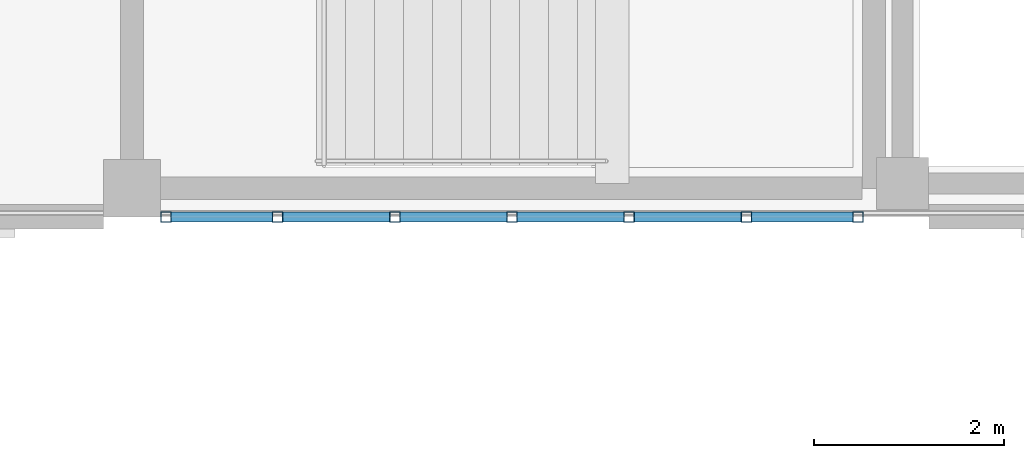
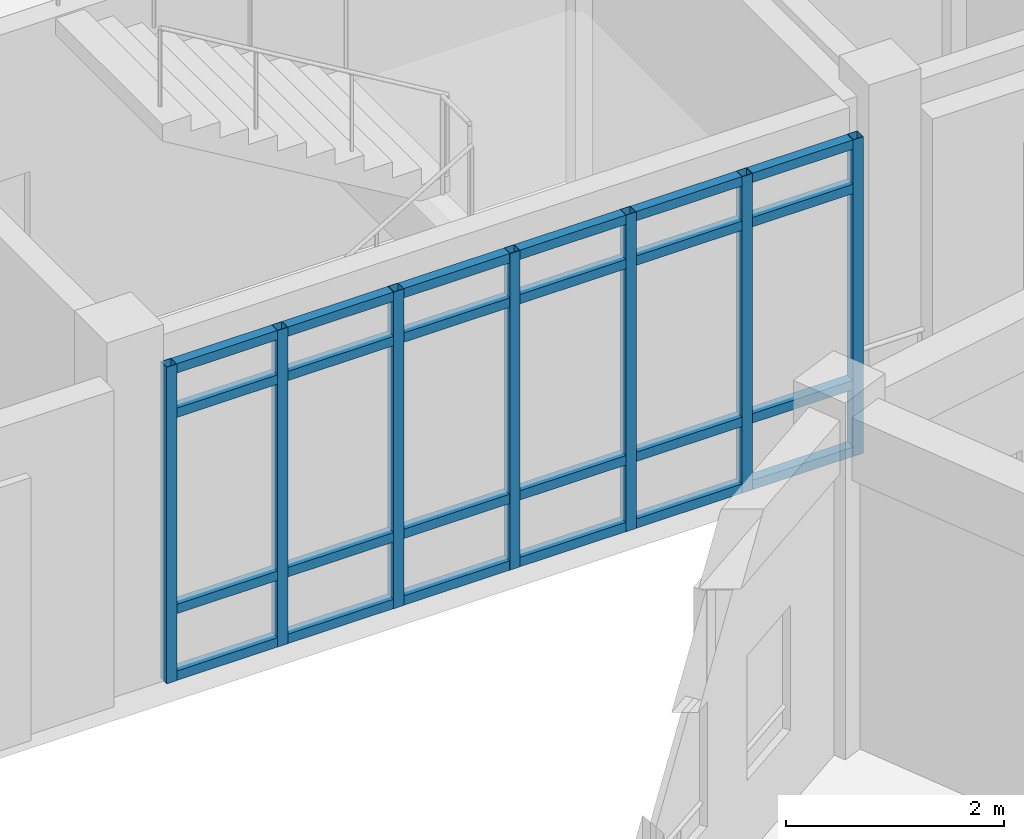
# One storey, part 17 of 112: 31 members, 1 element without a shape of its own.
"""IFC4 building model written with IfcOpenShell, lengths in metres."""

import ifcopenshell
import ifcopenshell.guid

model = None  # the IFC model being written
_history = None  # IfcOwnerHistory: only IFC2X3 demands one
_inside = {}  # id of a spatial element -> (the spatial element, [elements in it])
_under = {}  # id of a project, library or spatial element -> (it, [spatial elements below it])
_declared = {}  # id of a project -> (the project, [libraries it declares])
_typed = {}  # id of a type object -> (the type object, [elements of that type])
_made_of = {}  # id of a material, layer set ... -> (it, [elements and type objects made of it])


def new_model(schema):
    """Start an empty IFC model of exactly this schema.

    Asked for "IFC4X3", IfcOpenShell would pick the latest addendum, in which some entities
    have other attributes; the version numbers below select the first issue.
    IFC2X3 requires an IfcOwnerHistory on every rooted entity: one is made here for all.
    """
    global model, _history
    if schema == "IFC4X3":
        model = ifcopenshell.file(schema_version=(4, 3, 0, 0))
    else:
        model = ifcopenshell.file(schema=schema)
    _inside.clear()
    _under.clear()
    _declared.clear()
    _typed.clear()
    _made_of.clear()
    _history = None
    if model.schema == "IFC2X3":
        org = make("IfcOrganization", Name="unknown")
        user = make(
            "IfcPersonAndOrganization",
            ThePerson=make("IfcPerson", FamilyName="unknown"),
            TheOrganization=org,
        )
        app = make(
            "IfcApplication",
            ApplicationDeveloper=org,
            Version="unknown",
            ApplicationFullName="unknown",
            ApplicationIdentifier="unknown",
        )
        _history = make(
            "IfcOwnerHistory",
            OwningUser=user,
            OwningApplication=app,
            ChangeAction="ADDED",
            CreationDate=0,
        )
    return model


def make(cls, **values):
    """One entity of the class cls with the attributes given. An attribute that is None is left unset."""
    return model.create_entity(
        cls, **{name: value for name, value in values.items() if value is not None}
    )


def rooted(cls, **values):
    """An entity with a GlobalId (a new one), such as an element, a storey or a relation."""
    return make(cls, GlobalId=ifcopenshell.guid.new(), OwnerHistory=_history, **values)


def si_unit(unit_type, name, prefix=None):
    """IfcSIUnit, for example si_unit("LENGTHUNIT", "METRE", prefix="MILLI")."""
    return make("IfcSIUnit", UnitType=unit_type, Prefix=prefix, Name=name)


def assignment(units):
    """IfcUnitAssignment: the units of a project."""
    return None if units is None else make("IfcUnitAssignment", Units=units)


def point(xyz):
    """IfcCartesianPoint."""
    return None if xyz is None else make("IfcCartesianPoint", Coordinates=xyz)


def direction(xyz):
    """IfcDirection."""
    return None if xyz is None else make("IfcDirection", DirectionRatios=xyz)


def frame(location, z_axis=None, x_axis=None):
    """IfcAxis2Placement3D, a coordinate frame: its origin and axes. An axis left out is left unset."""
    return make(
        "IfcAxis2Placement3D",
        Location=point(location),
        Axis=direction(z_axis),
        RefDirection=direction(x_axis),
    )


def frame_2d(location, x_axis=None):
    """IfcAxis2Placement2D, a coordinate frame in the plane: its origin and x axis."""
    return make(
        "IfcAxis2Placement2D", Location=point(location), RefDirection=direction(x_axis)
    )


def origin():
    """The frame at (0, 0, 0) with its axes left unset."""
    return frame((0.0, 0.0, 0.0))


def origin_2d():
    """The frame at (0, 0) in the plane with its x axis left unset."""
    return frame_2d((0.0, 0.0))


def place(relative_to, where):
    """IfcLocalPlacement: puts the frame where relative to a parent placement (None: the world)."""
    return make(
        "IfcLocalPlacement", PlacementRelTo=relative_to, RelativePlacement=where
    )


def context(
    kind, dimensions, precision=None, world=None, true_north=None, identifier=None
):
    """IfcGeometricRepresentationContext, for example the 3D "Model" context."""
    return make(
        "IfcGeometricRepresentationContext",
        ContextIdentifier=identifier,
        ContextType=kind,
        CoordinateSpaceDimension=dimensions,
        Precision=precision,
        WorldCoordinateSystem=world,
        TrueNorth=true_north,
    )


def subcontext(parent, identifier, kind, view, scale=None):
    """IfcGeometricRepresentationSubContext, for example "Body" below "Model"."""
    return make(
        "IfcGeometricRepresentationSubContext",
        ContextIdentifier=identifier,
        ContextType=kind,
        ParentContext=parent,
        TargetScale=scale,
        TargetView=view,
    )


def project(units=None, contexts=None):
    """IfcProject with its units and contexts."""
    return rooted(
        "IfcProject",
        Name="project",
        RepresentationContexts=contexts,
        UnitsInContext=assignment(units),
    )


def spatial(cls, under=None, at=None, **own):
    """A site, building, storey or space (cls), placed at a placement, below another one or the project."""
    s = rooted(cls, ObjectPlacement=at, **own)
    if under is not None:
        _under.setdefault(under.id(), (under, []))[1].append(s)
    return s


def profile(cls, at=None, kind="AREA", **sizes):
    """A parametric profile (cls). Its sizes go by their IFC names, for example OverallWidth=200.0."""
    return make(cls, ProfileType=kind, Position=at, **sizes)


def hollow_rectangle(**sizes):
    """IfcRectangleHollowProfileDef."""
    return profile("IfcRectangleHollowProfileDef", **sizes)


def extrude(swept, where, along, depth):
    """IfcExtrudedAreaSolid: the profile swept, set in the frame where, extruded along a direction by depth."""
    return make(
        "IfcExtrudedAreaSolid",
        SweptArea=swept,
        Position=where,
        ExtrudedDirection=direction(along),
        Depth=depth,
    )


def shape(context_of_items, identifier, shape_type, items):
    """IfcShapeRepresentation: the items that make up one representation, for example the "Body"."""
    return make(
        "IfcShapeRepresentation",
        ContextOfItems=context_of_items,
        RepresentationIdentifier=identifier,
        RepresentationType=shape_type,
        Items=items,
    )


def material(Name=None, Category=None):
    """IfcMaterial."""
    return make("IfcMaterial", Name=Name, Category=Category)


def material_profile(
    of_material, cross_section, Name=None, Category=None, Priority=None
):
    """IfcMaterialProfile: a cross section and its material."""
    return make(
        "IfcMaterialProfile",
        Name=Name,
        Material=of_material,
        Profile=cross_section,
        Priority=Priority,
        Category=Category,
    )


def profile_set(profiles, Name=None, composite=None):
    """IfcMaterialProfileSet."""
    return make(
        "IfcMaterialProfileSet",
        Name=Name,
        MaterialProfiles=profiles,
        CompositeProfile=composite,
    )


def made_of(thing, what):
    """Note that an element or type object is made of a material, layer set ...; save() writes the relation."""
    if what is not None:
        _made_of.setdefault(what.id(), (what, []))[1].append(thing)
    return thing


def type_object(cls, material=None, **own):
    """A type object (cls), such as IfcWallType, which elements share."""
    return made_of(rooted(cls, **own), material)


def element(
    cls,
    number,
    at=None,
    inside=None,
    cuts=None,
    type_object=None,
    material=None,
    context=None,
    identifier="Body",
    shape_type=None,
    held_by="IfcProductDefinitionShape",
    body=None,
    shapes=None,
    **own,
):
    """One element of the class cls, such as IfcWall. Its Tag is "e" and its number.

    at: its placement. inside: the storey or other place that contains it. cuts: it is an
    opening in that element (IfcRelVoidsElement). A single representation is given by context,
    identifier, shape_type and body (its items); several are given by shapes. held_by: the class
    of the entity that holds the representations. save() writes the other relations.
    """
    e = rooted(cls, Tag="e%d" % number, ObjectPlacement=at, **own)
    if body is not None:
        shapes = [shape(context, identifier, shape_type, body)]
    if shapes is not None:
        e.Representation = make(held_by, Representations=shapes)
    if inside is not None:
        _inside.setdefault(inside.id(), (inside, []))[1].append(e)
    if cuts is not None:
        rooted(
            "IfcRelVoidsElement", RelatingBuildingElement=cuts, RelatedOpeningElement=e
        )
    if type_object is not None:
        _typed.setdefault(type_object.id(), (type_object, []))[1].append(e)
    return made_of(e, material)


def aggregate(whole, parts):
    """IfcRelAggregates: a whole, such as a stair, and the parts it consists of."""
    return rooted("IfcRelAggregates", RelatingObject=whole, RelatedObjects=parts)


def save(model, path):
    """Write the relations noted so far, then the file.

    IfcRelAggregates (storeys below a building ...), IfcRelContainedInSpatialStructure (elements
    in a storey), IfcRelDefinesByType, IfcRelAssociatesMaterial and IfcRelDeclares: one each for
    every whole, place, type object, material and project.
    """
    for whole, parts in _under.values():
        aggregate(whole, parts)
    for where, things in _inside.values():
        rooted(
            "IfcRelContainedInSpatialStructure",
            RelatedElements=things,
            RelatingStructure=where,
        )
    for kind, things in _typed.values():
        rooted("IfcRelDefinesByType", RelatedObjects=things, RelatingType=kind)
    for what, things in _made_of.values():
        rooted("IfcRelAssociatesMaterial", RelatedObjects=things, RelatingMaterial=what)
    for by, libraries in _declared.values():
        rooted("IfcRelDeclares", RelatingContext=by, RelatedDefinitions=libraries)
    model.write(path)


model = new_model("IFC4")

# Units and contexts
model_context = context("Model", 3, precision=1e-05, world=origin(), true_north=direction((0.0, 1.0)))
body_context = subcontext(model_context, "Body", "Model", "MODEL_VIEW")
ifc_project = project(units=[si_unit("LENGTHUNIT", "METRE"), si_unit("AREAUNIT", "SQUARE_METRE"), si_unit("VOLUMEUNIT", "CUBIC_METRE"), si_unit("PLANEANGLEUNIT", "RADIAN"), si_unit("MASSUNIT", "GRAM", prefix="KILO")], contexts=[model_context])

# Site, building, storey
site_placement = place(None, origin())
site = spatial("IfcSite", under=ifc_project, at=site_placement, CompositionType="ELEMENT")
building_placement = place(site_placement, origin())
building = spatial("IfcBuilding", under=site, at=building_placement, Name="Celadon Cloister-Ring School", CompositionType="ELEMENT")
storey_placement = place(building_placement, frame((0.0, 0.0, 8.5)))
storey = spatial("IfcBuildingStorey", under=building, at=storey_placement, Name="L02", CompositionType="ELEMENT", Elevation=8.5)

# Curtain wall, members
ifc_material_1 = material(Name="Aluminium EN AW-6063 T6", Category="aluminium")
curtain_wall_type = type_object("IfcCurtainWallType", Name="CW-13", PredefinedType="USERDEFINED", material=ifc_material_1)
curtain_wall_placement = place(storey_placement, origin())
curtain_wall = element("IfcCurtainWall", 1, at=curtain_wall_placement, inside=storey, type_object=curtain_wall_type, Name="Curtain Wall 0202", ObjectType="CURTAIN WALL", PredefinedType="USERDEFINED")
ifc_material_2 = material(Name="Aluminium EN AW-6063 T6", Category="aluminium")
ifc_material_profile_1 = material_profile(ifc_material_2, hollow_rectangle(XDim=0.110107421875, YDim=0.110107421875, WallThickness=0.0048828125, at=origin_2d()), Name="RHS110X110X5")
ifc_profile_set_1 = profile_set([ifc_material_profile_1], Name="Aluminium EN AW-6063 T6")
member_type_1 = type_object("IfcMemberType", Name="CM-01", PredefinedType="MULLION", material=ifc_profile_set_1)
member_1_placement = place(storey_placement, frame((15.885009765625, 40.0, 0.0), z_axis=(0.0, 0.0, 1.0), x_axis=(0.0, -1.0, 0.0)))
member_1 = element("IfcMember", 2, at=member_1_placement, type_object=member_type_1, Name="CW-13 mullion 1", PredefinedType="MULLION", context=body_context, shape_type="SweptSolid", body=[
    extrude(hollow_rectangle(XDim=0.110107421875, YDim=0.110107421875, WallThickness=0.0048828125, at=origin_2d()), origin(), (0.0, 0.0, 1.0), 3.550048828125),
])
member_2_placement = place(storey_placement, frame((14.708251953125, 40.0, 0.0), z_axis=(0.0, 0.0, 1.0), x_axis=(0.0, -1.0, 0.0)))
member_2 = element("IfcMember", 3, at=member_2_placement, type_object=member_type_1, Name="CW-13 mullion 2", PredefinedType="MULLION", context=body_context, shape_type="SweptSolid", body=[
    extrude(hollow_rectangle(XDim=0.110107421875, YDim=0.110107421875, WallThickness=0.0048828125, at=origin_2d()), origin(), (0.0, 0.0, 1.0), 3.550048828125),
])
member_3_placement = place(storey_placement, frame((13.4765625, 40.0, 0.0), z_axis=(0.0, 0.0, 1.0), x_axis=(0.0, -1.0, 0.0)))
member_3 = element("IfcMember", 4, at=member_3_placement, type_object=member_type_1, Name="CW-13 mullion 3", PredefinedType="MULLION", context=body_context, shape_type="SweptSolid", body=[
    extrude(hollow_rectangle(XDim=0.110107421875, YDim=0.110107421875, WallThickness=0.0048828125, at=origin_2d()), origin(), (0.0, 0.0, 1.0), 3.550048828125),
])
member_4_placement = place(storey_placement, frame((12.2451171875, 40.0, 0.0), z_axis=(0.0, 0.0, 1.0), x_axis=(0.0, -1.0, 0.0)))
member_4 = element("IfcMember", 5, at=member_4_placement, type_object=member_type_1, Name="CW-13 mullion 4", PredefinedType="MULLION", context=body_context, shape_type="SweptSolid", body=[
    extrude(hollow_rectangle(XDim=0.110107421875, YDim=0.110107421875, WallThickness=0.0048828125, at=origin_2d()), origin(), (0.0, 0.0, 1.0), 3.550048828125),
])
member_5_placement = place(storey_placement, frame((11.013427734375, 40.0, 0.0), z_axis=(0.0, 0.0, 1.0), x_axis=(0.0, -1.0, 0.0)))
member_5 = element("IfcMember", 6, at=member_5_placement, type_object=member_type_1, Name="CW-13 mullion 5", PredefinedType="MULLION", context=body_context, shape_type="SweptSolid", body=[
    extrude(hollow_rectangle(XDim=0.110107421875, YDim=0.110107421875, WallThickness=0.0048828125, at=origin_2d()), origin(), (0.0, 0.0, 1.0), 3.550048828125),
])
member_6_placement = place(storey_placement, frame((9.78173828125, 40.0, 0.0), z_axis=(0.0, 0.0, 1.0), x_axis=(0.0, -1.0, 0.0)))
member_6 = element("IfcMember", 7, at=member_6_placement, type_object=member_type_1, Name="CW-13 mullion 6", PredefinedType="MULLION", context=body_context, shape_type="SweptSolid", body=[
    extrude(hollow_rectangle(XDim=0.110107421875, YDim=0.110107421875, WallThickness=0.0048828125, at=origin_2d()), origin(), (0.0, 0.0, 1.0), 3.550048828125),
])
member_7_placement = place(storey_placement, frame((8.60498046875, 40.0, 0.0), z_axis=(0.0, 0.0, 1.0), x_axis=(0.0, -1.0, 0.0)))
member_7 = element("IfcMember", 8, at=member_7_placement, type_object=member_type_1, Name="CW-13 mullion 7", PredefinedType="MULLION", context=body_context, shape_type="SweptSolid", body=[
    extrude(hollow_rectangle(XDim=0.110107421875, YDim=0.110107421875, WallThickness=0.0048828125, at=origin_2d()), origin(), (0.0, 0.0, 1.0), 3.550048828125),
])
ifc_material_3 = material(Name="Aluminium EN AW-6063 T6", Category="aluminium")
ifc_material_profile_2 = material_profile(ifc_material_3, hollow_rectangle(XDim=0.10498046875, YDim=0.10498046875, WallThickness=0.0048828125, at=origin_2d()), Name="RHS105X105X5")
ifc_profile_set_2 = profile_set([ifc_material_profile_2], Name="Aluminium EN AW-6063 T6")
member_type_2 = type_object("IfcMemberType", Name="CTM-01", PredefinedType="USERDEFINED", material=ifc_profile_set_2)
member_8_placement = place(storey_placement, frame((15.830078125, 40.0, 0.052490234375), z_axis=(-1.0, 0.0, 0.0), x_axis=(0.0, -1.0, 0.0)))
member_8 = element("IfcMember", 9, at=member_8_placement, type_object=member_type_2, Name="CW-13 transom 1.1", ObjectType="TRANSOM", PredefinedType="USERDEFINED", context=body_context, shape_type="SweptSolid", body=[
    extrude(hollow_rectangle(XDim=0.10498046875, YDim=0.10498046875, WallThickness=0.0048828125, at=origin_2d()), origin(), (0.0, 0.0, 1.0), 1.066650390625),
])
member_9_placement = place(storey_placement, frame((15.830078125, 40.0, 0.800048828125), z_axis=(-1.0, 0.0, 0.0), x_axis=(0.0, -1.0, 0.0)))
member_9 = element("IfcMember", 10, at=member_9_placement, type_object=member_type_2, Name="CW-13 transom 1.2", ObjectType="TRANSOM", PredefinedType="USERDEFINED", context=body_context, shape_type="SweptSolid", body=[
    extrude(hollow_rectangle(XDim=0.10498046875, YDim=0.10498046875, WallThickness=0.0048828125, at=origin_2d()), origin(), (0.0, 0.0, 1.0), 1.066650390625),
])
member_10_placement = place(storey_placement, frame((15.830078125, 40.0, 3.0), z_axis=(-1.0, 0.0, 0.0), x_axis=(0.0, -1.0, 0.0)))
member_10 = element("IfcMember", 11, at=member_10_placement, type_object=member_type_2, Name="CW-13 transom 1.3", ObjectType="TRANSOM", PredefinedType="USERDEFINED", context=body_context, shape_type="SweptSolid", body=[
    extrude(hollow_rectangle(XDim=0.10498046875, YDim=0.10498046875, WallThickness=0.0048828125, at=origin_2d()), origin(), (0.0, 0.0, 1.0), 1.066650390625),
])
member_11_placement = place(storey_placement, frame((15.830078125, 40.0, 3.49755859375), z_axis=(-1.0, 0.0, 0.0), x_axis=(0.0, -1.0, 0.0)))
member_11 = element("IfcMember", 12, at=member_11_placement, type_object=member_type_2, Name="CW-13 transom 1.4", ObjectType="TRANSOM", PredefinedType="USERDEFINED", context=body_context, shape_type="SweptSolid", body=[
    extrude(hollow_rectangle(XDim=0.10498046875, YDim=0.10498046875, WallThickness=0.0048828125, at=origin_2d()), origin(), (0.0, 0.0, 1.0), 1.066650390625),
])
member_12_placement = place(storey_placement, frame((14.6533203125, 40.0, 0.052490234375), z_axis=(-1.0, 0.0, 0.0), x_axis=(0.0, -1.0, 0.0)))
member_12 = element("IfcMember", 13, at=member_12_placement, type_object=member_type_2, Name="CW-13 transom 2.1", ObjectType="TRANSOM", PredefinedType="USERDEFINED", context=body_context, shape_type="SweptSolid", body=[
    extrude(hollow_rectangle(XDim=0.10498046875, YDim=0.10498046875, WallThickness=0.0048828125, at=origin_2d()), origin(), (0.0, 0.0, 1.0), 1.12158203125),
])
member_13_placement = place(storey_placement, frame((14.6533203125, 40.0, 0.800048828125), z_axis=(-1.0, 0.0, 0.0), x_axis=(0.0, -1.0, 0.0)))
member_13 = element("IfcMember", 14, at=member_13_placement, type_object=member_type_2, Name="CW-13 transom 2.2", ObjectType="TRANSOM", PredefinedType="USERDEFINED", context=body_context, shape_type="SweptSolid", body=[
    extrude(hollow_rectangle(XDim=0.10498046875, YDim=0.10498046875, WallThickness=0.0048828125, at=origin_2d()), origin(), (0.0, 0.0, 1.0), 1.12158203125),
])
member_14_placement = place(storey_placement, frame((14.6533203125, 40.0, 3.0), z_axis=(-1.0, 0.0, 0.0), x_axis=(0.0, -1.0, 0.0)))
member_14 = element("IfcMember", 15, at=member_14_placement, type_object=member_type_2, Name="CW-13 transom 2.3", ObjectType="TRANSOM", PredefinedType="USERDEFINED", context=body_context, shape_type="SweptSolid", body=[
    extrude(hollow_rectangle(XDim=0.10498046875, YDim=0.10498046875, WallThickness=0.0048828125, at=origin_2d()), origin(), (0.0, 0.0, 1.0), 1.12158203125),
])
member_15_placement = place(storey_placement, frame((14.6533203125, 40.0, 3.49755859375), z_axis=(-1.0, 0.0, 0.0), x_axis=(0.0, -1.0, 0.0)))
member_15 = element("IfcMember", 16, at=member_15_placement, type_object=member_type_2, Name="CW-13 transom 2.4", ObjectType="TRANSOM", PredefinedType="USERDEFINED", context=body_context, shape_type="SweptSolid", body=[
    extrude(hollow_rectangle(XDim=0.10498046875, YDim=0.10498046875, WallThickness=0.0048828125, at=origin_2d()), origin(), (0.0, 0.0, 1.0), 1.12158203125),
])
member_16_placement = place(storey_placement, frame((13.421630859375, 40.0, 0.052490234375), z_axis=(-1.0, 0.0, 0.0), x_axis=(0.0, -1.0, 0.0)))
member_16 = element("IfcMember", 17, at=member_16_placement, type_object=member_type_2, Name="CW-13 transom 3.1", ObjectType="TRANSOM", PredefinedType="USERDEFINED", context=body_context, shape_type="SweptSolid", body=[
    extrude(hollow_rectangle(XDim=0.10498046875, YDim=0.10498046875, WallThickness=0.0048828125, at=origin_2d()), origin(), (0.0, 0.0, 1.0), 1.12158203125),
])
member_17_placement = place(storey_placement, frame((13.421630859375, 40.0, 0.800048828125), z_axis=(-1.0, 0.0, 0.0), x_axis=(0.0, -1.0, 0.0)))
member_17 = element("IfcMember", 18, at=member_17_placement, type_object=member_type_2, Name="CW-13 transom 3.2", ObjectType="TRANSOM", PredefinedType="USERDEFINED", context=body_context, shape_type="SweptSolid", body=[
    extrude(hollow_rectangle(XDim=0.10498046875, YDim=0.10498046875, WallThickness=0.0048828125, at=origin_2d()), origin(), (0.0, 0.0, 1.0), 1.12158203125),
])
member_18_placement = place(storey_placement, frame((13.421630859375, 40.0, 3.0), z_axis=(-1.0, 0.0, 0.0), x_axis=(0.0, -1.0, 0.0)))
member_18 = element("IfcMember", 19, at=member_18_placement, type_object=member_type_2, Name="CW-13 transom 3.3", ObjectType="TRANSOM", PredefinedType="USERDEFINED", context=body_context, shape_type="SweptSolid", body=[
    extrude(hollow_rectangle(XDim=0.10498046875, YDim=0.10498046875, WallThickness=0.0048828125, at=origin_2d()), origin(), (0.0, 0.0, 1.0), 1.12158203125),
])
member_19_placement = place(storey_placement, frame((13.421630859375, 40.0, 3.49755859375), z_axis=(-1.0, 0.0, 0.0), x_axis=(0.0, -1.0, 0.0)))
member_19 = element("IfcMember", 20, at=member_19_placement, type_object=member_type_2, Name="CW-13 transom 3.4", ObjectType="TRANSOM", PredefinedType="USERDEFINED", context=body_context, shape_type="SweptSolid", body=[
    extrude(hollow_rectangle(XDim=0.10498046875, YDim=0.10498046875, WallThickness=0.0048828125, at=origin_2d()), origin(), (0.0, 0.0, 1.0), 1.12158203125),
])
member_20_placement = place(storey_placement, frame((12.18994140625, 40.0, 0.052490234375), z_axis=(-1.0, 0.0, 0.0), x_axis=(0.0, -1.0, 0.0)))
member_20 = element("IfcMember", 21, at=member_20_placement, type_object=member_type_2, Name="CW-13 transom 4.1", ObjectType="TRANSOM", PredefinedType="USERDEFINED", context=body_context, shape_type="SweptSolid", body=[
    extrude(hollow_rectangle(XDim=0.10498046875, YDim=0.10498046875, WallThickness=0.0048828125, at=origin_2d()), origin(), (0.0, 0.0, 1.0), 1.12158203125),
])
member_21_placement = place(storey_placement, frame((12.18994140625, 40.0, 0.800048828125), z_axis=(-1.0, 0.0, 0.0), x_axis=(0.0, -1.0, 0.0)))
member_21 = element("IfcMember", 22, at=member_21_placement, type_object=member_type_2, Name="CW-13 transom 4.2", ObjectType="TRANSOM", PredefinedType="USERDEFINED", context=body_context, shape_type="SweptSolid", body=[
    extrude(hollow_rectangle(XDim=0.10498046875, YDim=0.10498046875, WallThickness=0.0048828125, at=origin_2d()), origin(), (0.0, 0.0, 1.0), 1.12158203125),
])
member_22_placement = place(storey_placement, frame((12.18994140625, 40.0, 3.0), z_axis=(-1.0, 0.0, 0.0), x_axis=(0.0, -1.0, 0.0)))
member_22 = element("IfcMember", 23, at=member_22_placement, type_object=member_type_2, Name="CW-13 transom 4.3", ObjectType="TRANSOM", PredefinedType="USERDEFINED", context=body_context, shape_type="SweptSolid", body=[
    extrude(hollow_rectangle(XDim=0.10498046875, YDim=0.10498046875, WallThickness=0.0048828125, at=origin_2d()), origin(), (0.0, 0.0, 1.0), 1.12158203125),
])
member_23_placement = place(storey_placement, frame((12.18994140625, 40.0, 3.49755859375), z_axis=(-1.0, 0.0, 0.0), x_axis=(0.0, -1.0, 0.0)))
member_23 = element("IfcMember", 24, at=member_23_placement, type_object=member_type_2, Name="CW-13 transom 4.4", ObjectType="TRANSOM", PredefinedType="USERDEFINED", context=body_context, shape_type="SweptSolid", body=[
    extrude(hollow_rectangle(XDim=0.10498046875, YDim=0.10498046875, WallThickness=0.0048828125, at=origin_2d()), origin(), (0.0, 0.0, 1.0), 1.12158203125),
])
member_24_placement = place(storey_placement, frame((10.958251953125, 40.0, 0.052490234375), z_axis=(-1.0, 0.0, 0.0), x_axis=(0.0, -1.0, 0.0)))
member_24 = element("IfcMember", 25, at=member_24_placement, type_object=member_type_2, Name="CW-13 transom 5.1", ObjectType="TRANSOM", PredefinedType="USERDEFINED", context=body_context, shape_type="SweptSolid", body=[
    extrude(hollow_rectangle(XDim=0.10498046875, YDim=0.10498046875, WallThickness=0.0048828125, at=origin_2d()), origin(), (0.0, 0.0, 1.0), 1.12158203125),
])
member_25_placement = place(storey_placement, frame((10.958251953125, 40.0, 0.800048828125), z_axis=(-1.0, 0.0, 0.0), x_axis=(0.0, -1.0, 0.0)))
member_25 = element("IfcMember", 26, at=member_25_placement, type_object=member_type_2, Name="CW-13 transom 5.2", ObjectType="TRANSOM", PredefinedType="USERDEFINED", context=body_context, shape_type="SweptSolid", body=[
    extrude(hollow_rectangle(XDim=0.10498046875, YDim=0.10498046875, WallThickness=0.0048828125, at=origin_2d()), origin(), (0.0, 0.0, 1.0), 1.12158203125),
])
member_26_placement = place(storey_placement, frame((10.958251953125, 40.0, 3.0), z_axis=(-1.0, 0.0, 0.0), x_axis=(0.0, -1.0, 0.0)))
member_26 = element("IfcMember", 27, at=member_26_placement, type_object=member_type_2, Name="CW-13 transom 5.3", ObjectType="TRANSOM", PredefinedType="USERDEFINED", context=body_context, shape_type="SweptSolid", body=[
    extrude(hollow_rectangle(XDim=0.10498046875, YDim=0.10498046875, WallThickness=0.0048828125, at=origin_2d()), origin(), (0.0, 0.0, 1.0), 1.12158203125),
])
member_27_placement = place(storey_placement, frame((10.958251953125, 40.0, 3.49755859375), z_axis=(-1.0, 0.0, 0.0), x_axis=(0.0, -1.0, 0.0)))
member_27 = element("IfcMember", 28, at=member_27_placement, type_object=member_type_2, Name="CW-13 transom 5.4", ObjectType="TRANSOM", PredefinedType="USERDEFINED", context=body_context, shape_type="SweptSolid", body=[
    extrude(hollow_rectangle(XDim=0.10498046875, YDim=0.10498046875, WallThickness=0.0048828125, at=origin_2d()), origin(), (0.0, 0.0, 1.0), 1.12158203125),
])
member_28_placement = place(storey_placement, frame((9.7265625, 40.0, 0.052490234375), z_axis=(-1.0, 0.0, 0.0), x_axis=(0.0, -1.0, 0.0)))
member_28 = element("IfcMember", 29, at=member_28_placement, type_object=member_type_2, Name="CW-13 transom 6.1", ObjectType="TRANSOM", PredefinedType="USERDEFINED", context=body_context, shape_type="SweptSolid", body=[
    extrude(hollow_rectangle(XDim=0.10498046875, YDim=0.10498046875, WallThickness=0.0048828125, at=origin_2d()), origin(), (0.0, 0.0, 1.0), 1.066650390625),
])
member_29_placement = place(storey_placement, frame((9.7265625, 40.0, 0.800048828125), z_axis=(-1.0, 0.0, 0.0), x_axis=(0.0, -1.0, 0.0)))
member_29 = element("IfcMember", 30, at=member_29_placement, type_object=member_type_2, Name="CW-13 transom 6.2", ObjectType="TRANSOM", PredefinedType="USERDEFINED", context=body_context, shape_type="SweptSolid", body=[
    extrude(hollow_rectangle(XDim=0.10498046875, YDim=0.10498046875, WallThickness=0.0048828125, at=origin_2d()), origin(), (0.0, 0.0, 1.0), 1.066650390625),
])
member_30_placement = place(storey_placement, frame((9.7265625, 40.0, 3.0), z_axis=(-1.0, 0.0, 0.0), x_axis=(0.0, -1.0, 0.0)))
member_30 = element("IfcMember", 31, at=member_30_placement, type_object=member_type_2, Name="CW-13 transom 6.3", ObjectType="TRANSOM", PredefinedType="USERDEFINED", context=body_context, shape_type="SweptSolid", body=[
    extrude(hollow_rectangle(XDim=0.10498046875, YDim=0.10498046875, WallThickness=0.0048828125, at=origin_2d()), origin(), (0.0, 0.0, 1.0), 1.066650390625),
])
member_31_placement = place(storey_placement, frame((9.7265625, 40.0, 3.49755859375), z_axis=(-1.0, 0.0, 0.0), x_axis=(0.0, -1.0, 0.0)))
member_31 = element("IfcMember", 32, at=member_31_placement, type_object=member_type_2, Name="CW-13 transom 6.4", ObjectType="TRANSOM", PredefinedType="USERDEFINED", context=body_context, shape_type="SweptSolid", body=[
    extrude(hollow_rectangle(XDim=0.10498046875, YDim=0.10498046875, WallThickness=0.0048828125, at=origin_2d()), origin(), (0.0, 0.0, 1.0), 1.066650390625),
])
aggregate(curtain_wall, [member_1, member_2, member_3, member_4, member_5, member_6, member_7, member_8, member_9, member_10, member_11, member_12, member_13, member_14, member_15, member_16, member_17, member_18, member_19, member_20, member_21, member_22, member_23, member_24, member_25, member_26, member_27, member_28, member_29, member_30, member_31])

save(model, "model.ifc")
